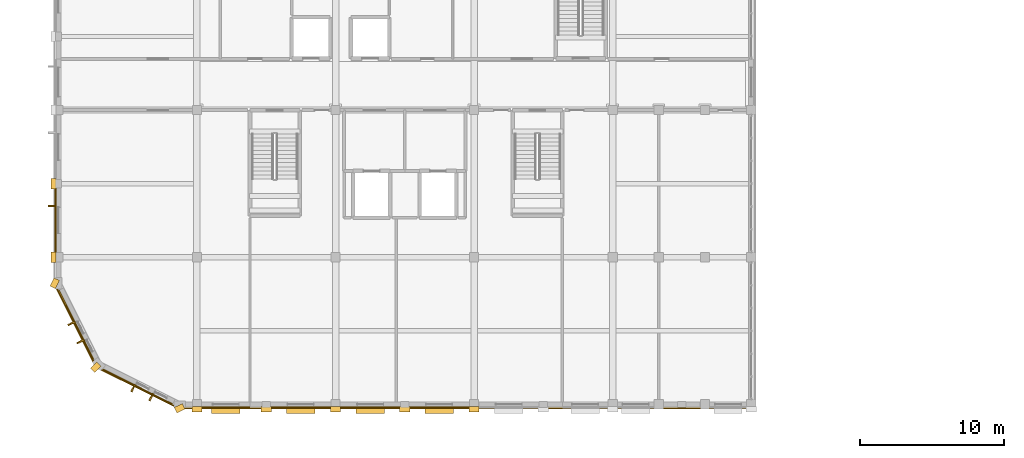
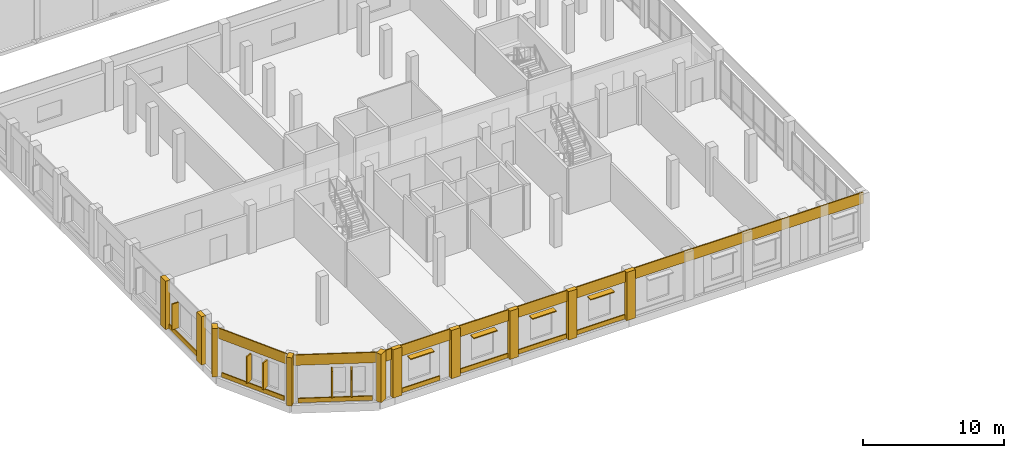
# One storey, part 188 of 200: 20 coverings, 9 shading devices.
"""IFC4 building model written with IfcOpenShell, lengths in metres."""

import ifcopenshell
import ifcopenshell.guid

model = None  # the IFC model being written
_history = None  # IfcOwnerHistory: only IFC2X3 demands one
_inside = {}  # id of a spatial element -> (the spatial element, [elements in it])
_under = {}  # id of a project, library or spatial element -> (it, [spatial elements below it])
_declared = {}  # id of a project -> (the project, [libraries it declares])
_typed = {}  # id of a type object -> (the type object, [elements of that type])
_made_of = {}  # id of a material, layer set ... -> (it, [elements and type objects made of it])


def new_model(schema):
    """Start an empty IFC model of exactly this schema.

    Asked for "IFC4X3", IfcOpenShell would pick the latest addendum, in which some entities
    have other attributes; the version numbers below select the first issue.
    IFC2X3 requires an IfcOwnerHistory on every rooted entity: one is made here for all.
    """
    global model, _history
    if schema == "IFC4X3":
        model = ifcopenshell.file(schema_version=(4, 3, 0, 0))
    else:
        model = ifcopenshell.file(schema=schema)
    _inside.clear()
    _under.clear()
    _declared.clear()
    _typed.clear()
    _made_of.clear()
    _history = None
    if model.schema == "IFC2X3":
        org = make("IfcOrganization", Name="unknown")
        user = make(
            "IfcPersonAndOrganization",
            ThePerson=make("IfcPerson", FamilyName="unknown"),
            TheOrganization=org,
        )
        app = make(
            "IfcApplication",
            ApplicationDeveloper=org,
            Version="unknown",
            ApplicationFullName="unknown",
            ApplicationIdentifier="unknown",
        )
        _history = make(
            "IfcOwnerHistory",
            OwningUser=user,
            OwningApplication=app,
            ChangeAction="ADDED",
            CreationDate=0,
        )
    return model


def make(cls, **values):
    """One entity of the class cls with the attributes given. An attribute that is None is left unset."""
    return model.create_entity(
        cls, **{name: value for name, value in values.items() if value is not None}
    )


def rooted(cls, **values):
    """An entity with a GlobalId (a new one), such as an element, a storey or a relation."""
    return make(cls, GlobalId=ifcopenshell.guid.new(), OwnerHistory=_history, **values)


def si_unit(unit_type, name, prefix=None):
    """IfcSIUnit, for example si_unit("LENGTHUNIT", "METRE", prefix="MILLI")."""
    return make("IfcSIUnit", UnitType=unit_type, Prefix=prefix, Name=name)


def assignment(units):
    """IfcUnitAssignment: the units of a project."""
    return None if units is None else make("IfcUnitAssignment", Units=units)


def point(xyz):
    """IfcCartesianPoint."""
    return None if xyz is None else make("IfcCartesianPoint", Coordinates=xyz)


def direction(xyz):
    """IfcDirection."""
    return None if xyz is None else make("IfcDirection", DirectionRatios=xyz)


def frame(location, z_axis=None, x_axis=None):
    """IfcAxis2Placement3D, a coordinate frame: its origin and axes. An axis left out is left unset."""
    return make(
        "IfcAxis2Placement3D",
        Location=point(location),
        Axis=direction(z_axis),
        RefDirection=direction(x_axis),
    )


def frame_2d(location, x_axis=None):
    """IfcAxis2Placement2D, a coordinate frame in the plane: its origin and x axis."""
    return make(
        "IfcAxis2Placement2D", Location=point(location), RefDirection=direction(x_axis)
    )


def origin():
    """The frame at (0, 0, 0) with its axes left unset."""
    return frame((0.0, 0.0, 0.0))


def origin_2d():
    """The frame at (0, 0) in the plane with its x axis left unset."""
    return frame_2d((0.0, 0.0))


def place(relative_to, where):
    """IfcLocalPlacement: puts the frame where relative to a parent placement (None: the world)."""
    return make(
        "IfcLocalPlacement", PlacementRelTo=relative_to, RelativePlacement=where
    )


def context(
    kind, dimensions, precision=None, world=None, true_north=None, identifier=None
):
    """IfcGeometricRepresentationContext, for example the 3D "Model" context."""
    return make(
        "IfcGeometricRepresentationContext",
        ContextIdentifier=identifier,
        ContextType=kind,
        CoordinateSpaceDimension=dimensions,
        Precision=precision,
        WorldCoordinateSystem=world,
        TrueNorth=true_north,
    )


def subcontext(parent, identifier, kind, view, scale=None):
    """IfcGeometricRepresentationSubContext, for example "Body" below "Model"."""
    return make(
        "IfcGeometricRepresentationSubContext",
        ContextIdentifier=identifier,
        ContextType=kind,
        ParentContext=parent,
        TargetScale=scale,
        TargetView=view,
    )


def project(units=None, contexts=None):
    """IfcProject with its units and contexts."""
    return rooted(
        "IfcProject",
        Name="project",
        RepresentationContexts=contexts,
        UnitsInContext=assignment(units),
    )


def spatial(cls, under=None, at=None, **own):
    """A site, building, storey or space (cls), placed at a placement, below another one or the project."""
    s = rooted(cls, ObjectPlacement=at, **own)
    if under is not None:
        _under.setdefault(under.id(), (under, []))[1].append(s)
    return s


def profile(cls, at=None, kind="AREA", **sizes):
    """A parametric profile (cls). Its sizes go by their IFC names, for example OverallWidth=200.0."""
    return make(cls, ProfileType=kind, Position=at, **sizes)


def rectangle(**sizes):
    """IfcRectangleProfileDef."""
    return profile("IfcRectangleProfileDef", **sizes)


def extrude(swept, where, along, depth):
    """IfcExtrudedAreaSolid: the profile swept, set in the frame where, extruded along a direction by depth."""
    return make(
        "IfcExtrudedAreaSolid",
        SweptArea=swept,
        Position=where,
        ExtrudedDirection=direction(along),
        Depth=depth,
    )


def shape(context_of_items, identifier, shape_type, items):
    """IfcShapeRepresentation: the items that make up one representation, for example the "Body"."""
    return make(
        "IfcShapeRepresentation",
        ContextOfItems=context_of_items,
        RepresentationIdentifier=identifier,
        RepresentationType=shape_type,
        Items=items,
    )


def material(Name=None, Category=None):
    """IfcMaterial."""
    return make("IfcMaterial", Name=Name, Category=Category)


def layer(
    of_material, thickness, ventilated=None, Name=None, Category=None, Priority=None
):
    """IfcMaterialLayer: one layer of a wall or slab, of a material (None: an air gap)."""
    return make(
        "IfcMaterialLayer",
        Material=of_material,
        LayerThickness=thickness,
        IsVentilated=ventilated,
        Name=Name,
        Category=Category,
        Priority=Priority,
    )


def layer_set(layers, Name=None):
    """IfcMaterialLayerSet."""
    return make("IfcMaterialLayerSet", MaterialLayers=layers, LayerSetName=Name)


def made_of(thing, what):
    """Note that an element or type object is made of a material, layer set ...; save() writes the relation."""
    if what is not None:
        _made_of.setdefault(what.id(), (what, []))[1].append(thing)
    return thing


def type_object(cls, material=None, **own):
    """A type object (cls), such as IfcWallType, which elements share."""
    return made_of(rooted(cls, **own), material)


def element(
    cls,
    number,
    at=None,
    inside=None,
    cuts=None,
    type_object=None,
    material=None,
    context=None,
    identifier="Body",
    shape_type=None,
    held_by="IfcProductDefinitionShape",
    body=None,
    shapes=None,
    **own,
):
    """One element of the class cls, such as IfcWall. Its Tag is "e" and its number.

    at: its placement. inside: the storey or other place that contains it. cuts: it is an
    opening in that element (IfcRelVoidsElement). A single representation is given by context,
    identifier, shape_type and body (its items); several are given by shapes. held_by: the class
    of the entity that holds the representations. save() writes the other relations.
    """
    e = rooted(cls, Tag="e%d" % number, ObjectPlacement=at, **own)
    if body is not None:
        shapes = [shape(context, identifier, shape_type, body)]
    if shapes is not None:
        e.Representation = make(held_by, Representations=shapes)
    if inside is not None:
        _inside.setdefault(inside.id(), (inside, []))[1].append(e)
    if cuts is not None:
        rooted(
            "IfcRelVoidsElement", RelatingBuildingElement=cuts, RelatedOpeningElement=e
        )
    if type_object is not None:
        _typed.setdefault(type_object.id(), (type_object, []))[1].append(e)
    return made_of(e, material)


def aggregate(whole, parts):
    """IfcRelAggregates: a whole, such as a stair, and the parts it consists of."""
    return rooted("IfcRelAggregates", RelatingObject=whole, RelatedObjects=parts)


def save(model, path):
    """Write the relations noted so far, then the file.

    IfcRelAggregates (storeys below a building ...), IfcRelContainedInSpatialStructure (elements
    in a storey), IfcRelDefinesByType, IfcRelAssociatesMaterial and IfcRelDeclares: one each for
    every whole, place, type object, material and project.
    """
    for whole, parts in _under.values():
        aggregate(whole, parts)
    for where, things in _inside.values():
        rooted(
            "IfcRelContainedInSpatialStructure",
            RelatedElements=things,
            RelatingStructure=where,
        )
    for kind, things in _typed.values():
        rooted("IfcRelDefinesByType", RelatedObjects=things, RelatingType=kind)
    for what, things in _made_of.values():
        rooted("IfcRelAssociatesMaterial", RelatedObjects=things, RelatingMaterial=what)
    for by, libraries in _declared.values():
        rooted("IfcRelDeclares", RelatingContext=by, RelatedDefinitions=libraries)
    model.write(path)


model = new_model("IFC4")

# Units and contexts
model_context = context("Model", 3, precision=1e-05, world=origin(), true_north=direction((0.0, 1.0)))
body_context = subcontext(model_context, "Body", "Model", "MODEL_VIEW")
ifc_project = project(units=[si_unit("LENGTHUNIT", "METRE"), si_unit("AREAUNIT", "SQUARE_METRE"), si_unit("VOLUMEUNIT", "CUBIC_METRE"), si_unit("PLANEANGLEUNIT", "RADIAN"), si_unit("MASSUNIT", "GRAM", prefix="KILO")], contexts=[model_context])

# Site, building, storey
site_placement = place(None, origin())
site = spatial("IfcSite", under=ifc_project, at=site_placement, CompositionType="ELEMENT")
building_placement = place(site_placement, origin())
building = spatial("IfcBuilding", under=site, at=building_placement, Name="Vondelvale Polytechnic", CompositionType="ELEMENT")
storey_placement = place(building_placement, frame((0.0, 0.0, 13.800048828125)))
storey = spatial("IfcBuildingStorey", under=building, at=storey_placement, Name="L03", CompositionType="ELEMENT", Elevation=13.800048828125)

# Coverings
ifc_material_1 = material(Name="Amsterdam School iron-spot clinker clay brickwork", Category="masonry")
ifc_layer = layer(ifc_material_1, 0.090087890625)
ifc_layer_set = layer_set([ifc_layer], Name="COV-BRICK-RELIEF")
covering_type = type_object("IfcCoveringType", Name="COV-BRICK-RELIEF", PredefinedType="CLADDING", material=ifc_layer_set)
covering_1_placement = place(storey_placement, frame((28.199951171875, -0.264892578125, 3.239990234375), z_axis=(0.0, 0.0, 1.0), x_axis=(1.0, 0.0, 0.0)))
element("IfcCovering", 1, at=covering_1_placement, inside=storey, type_object=covering_type, Name="L03 exterior masonry spandrel band", PredefinedType="CLADDING", context=body_context, shape_type="SweptSolid", body=[
    extrude(rectangle(XDim=39.60009765625, YDim=0.090087890625, at=origin_2d()), origin(), (0.0, 0.0, 1.0), 0.9599609375),
])
for number, where, z_axis, x_axis, name in (
    (2, (5.4814453125, 1.1630859375, 3.300048828125), (0.0, 0.0, 1.0), (-0.89438856037, 0.447290848419, 0.0), "L03 exterior masonry spandrel band"),
    (3, (1.1630859375, 5.4814453125, 3.300048828125), (0.0, 0.0, 1.0), (-0.447290848419, 0.89438856037, 0.0), "L03 exterior masonry spandrel band"),
):
    element("IfcCovering", number, at=place(storey_placement, frame(where, z_axis=z_axis, x_axis=x_axis)), inside=storey, type_object=covering_type, Name=name, PredefinedType="CLADDING", context=body_context, shape_type="SweptSolid", body=[
        extrude(rectangle(XDim=6.260986328125, YDim=0.090087890625, at=origin_2d()), origin(), (0.0, 0.0, 1.0), 0.89990234375),
    ])
for number, where, z_axis, x_axis, name in (
    (4, (5.494140625, 1.217041015625, 0.0), (0.0, 0.0, 1.0), (-0.89438856037, 0.447290848419, 0.0), "L03 exterior corbelled masonry relief band"),
    (5, (1.217041015625, 5.494140625, 0.0), (0.0, 0.0, 1.0), (-0.447290848419, 0.89438856037, 0.0), "L03 exterior corbelled masonry relief band"),
):
    element("IfcCovering", number, at=place(storey_placement, frame(where, z_axis=z_axis, x_axis=x_axis)), inside=storey, type_object=covering_type, Name=name, PredefinedType="CLADDING", context=body_context, shape_type="SweptSolid", body=[
        extrude(rectangle(XDim=5.330078125, YDim=0.090087890625, at=origin_2d()), origin(), (0.0, 0.0, 1.0), 0.3798828125),
    ])
covering_2_placement = place(storey_placement, frame((11.6005859375, -0.2109375, 0.0), z_axis=(0.0, 0.0, 1.0), x_axis=(-1.0, 0.0, 0.0)))
element("IfcCovering", 6, at=covering_2_placement, inside=storey, type_object=covering_type, Name="L03 exterior corbelled masonry relief band", PredefinedType="CLADDING", context=body_context, shape_type="SweptSolid", body=[
    extrude(rectangle(XDim=3.2890625, YDim=0.090087890625, at=origin_2d()), origin(), (0.0, 0.0, 1.0), 0.3798828125),
])
for number, where, z_axis, x_axis, name in (
    (7, (16.78759765625, -0.2109375, 0.0), (0.0, 0.0, 1.0), (-1.0, 0.0, 0.0), "L03 exterior corbelled masonry relief band"),
    (8, (21.612548828125, -0.2109375, 0.0), (0.0, 0.0, 1.0), (-1.0, 0.0, 0.0), "L03 exterior corbelled masonry relief band"),
    (9, (26.387451171875, -0.2109375, 0.0), (0.0, 0.0, 1.0), (-1.0, 0.0, 0.0), "L03 exterior corbelled masonry relief band"),
):
    element("IfcCovering", number, at=place(storey_placement, frame(where, z_axis=z_axis, x_axis=x_axis)), inside=storey, type_object=covering_type, Name=name, PredefinedType="CLADDING", context=body_context, shape_type="SweptSolid", body=[
        extrude(rectangle(XDim=4.113037109375, YDim=0.090087890625, at=origin_2d()), origin(), (0.0, 0.0, 1.0), 0.3798828125),
    ])
covering_3_placement = place(storey_placement, frame((-0.2109375, 12.762451171875, 0.0), z_axis=(0.0, 0.0, 1.0), x_axis=(0.0, 1.0, 0.0)))
element("IfcCovering", 10, at=covering_3_placement, inside=storey, type_object=covering_type, Name="L03 exterior corbelled masonry relief band", PredefinedType="CLADDING", context=body_context, shape_type="SweptSolid", body=[
    extrude(rectangle(XDim=4.4130859375, YDim=0.090087890625, at=origin_2d()), origin(), (0.0, 0.0, 1.0), 0.3798828125),
])
for number, where, z_axis, x_axis, name in (
    (11, (9.60009765625, -0.340087890625, 0.0), (0.0, 0.0, 1.0), (1.0, 0.0, 0.0), "L03 Classical street pilaster"),
    (12, (14.39990234375, -0.340087890625, 0.0), (0.0, 0.0, 1.0), (1.0, 0.0, 0.0), "L03 Classical street pilaster"),
    (13, (19.199951171875, -0.340087890625, 0.0), (0.0, 0.0, 1.0), (1.0, 0.0, 0.0), "L03 Classical street pilaster"),
    (14, (24.0, -0.340087890625, 0.0), (0.0, 0.0, 1.0), (1.0, 0.0, 0.0), "L03 Classical street pilaster"),
    (15, (28.800048828125, -0.340087890625, 0.0), (0.0, 0.0, 1.0), (1.0, 0.0, 0.0), "L03 Classical street pilaster"),
):
    element("IfcCovering", number, at=place(storey_placement, frame(where, z_axis=z_axis, x_axis=x_axis)), inside=storey, type_object=covering_type, Name=name, PredefinedType="CLADDING", context=body_context, shape_type="SweptSolid", body=[
        extrude(rectangle(XDim=0.719970703125, YDim=0.360107421875, at=origin_2d()), origin(), (0.0, 0.0, 1.0), 4.199951171875),
    ])
for number, where, z_axis, x_axis, name in (
    (16, (-0.340087890625, 10.199951171875, 0.0), (0.0, 0.0, 1.0), (1.0, 0.0, 0.0), "L03 Classical street pilaster"),
    (17, (-0.340087890625, 15.300048828125, 0.0), (0.0, 0.0, 1.0), (1.0, 0.0, 0.0), "L03 Classical street pilaster"),
):
    element("IfcCovering", number, at=place(storey_placement, frame(where, z_axis=z_axis, x_axis=x_axis)), inside=storey, type_object=covering_type, Name=name, PredefinedType="CLADDING", context=body_context, shape_type="SweptSolid", body=[
        extrude(rectangle(XDim=0.360107421875, YDim=0.719970703125, at=origin_2d()), origin(), (0.0, 0.0, 1.0), 4.199951171875),
    ])
for number, where, z_axis, x_axis, name in (
    (18, (8.39990234375, -0.260009765625, 0.0), (0.0, 0.0, 1.0), (0.894934361602, 0.44619781311, 0.0), "L03 Amsterdam School turret buttress rib"),
    (19, (2.580078125, 2.580078125, 0.0), (0.0, 0.0, 1.0), (0.707106781187, 0.707106781187, 0.0), "L03 Amsterdam School turret buttress rib"),
    (20, (-0.260009765625, 8.39990234375, 0.0), (0.0, 0.0, 1.0), (0.44619781311, 0.894934361602, 0.0), "L03 Amsterdam School turret buttress rib"),
):
    element("IfcCovering", number, at=place(storey_placement, frame(where, z_axis=z_axis, x_axis=x_axis)), inside=storey, type_object=covering_type, Name=name, PredefinedType="CLADDING", context=body_context, shape_type="SweptSolid", body=[
        extrude(rectangle(XDim=0.6201171875, YDim=0.419921875, at=origin_2d()), origin(), (0.0, 0.0, 1.0), 4.199951171875),
    ])

# Shading devices
ifc_material_2 = material(Name="Anodised extruded aluminium 6063-T6", Category="aluminium")
shading_device_type_1 = type_object("IfcShadingDeviceType", Name="SHD-BRONZE-LOUVRE", PredefinedType="SHUTTER", material=ifc_material_2)
for number, where, z_axis, x_axis, name in (
    (21, (11.6005859375, -0.39501953125, 2.907470703125), (0.0, 0.0, 1.0), (-1.0, 0.0, 0.0), "L03 horizontal bronze sun-louvre overhang"),
    (22, (16.78759765625, -0.39501953125, 2.907470703125), (0.0, 0.0, 1.0), (-1.0, 0.0, 0.0), "L03 horizontal bronze sun-louvre overhang"),
    (23, (21.612548828125, -0.39501953125, 2.907470703125), (0.0, 0.0, 1.0), (-1.0, 0.0, 0.0), "L03 horizontal bronze sun-louvre overhang"),
    (24, (26.387451171875, -0.39501953125, 2.907470703125), (0.0, 0.0, 1.0), (-1.0, 0.0, 0.0), "L03 horizontal bronze sun-louvre overhang"),
):
    element("IfcShadingDevice", number, at=place(storey_placement, frame(where, z_axis=z_axis, x_axis=x_axis)), inside=storey, type_object=shading_device_type_1, Name=name, PredefinedType="SHUTTER", context=body_context, shape_type="SweptSolid", body=[
        extrude(rectangle(XDim=1.9599609375, YDim=0.47998046875, at=origin_2d()), origin(), (0.0, 0.0, 1.0), 0.0849609375),
    ])
ifc_material_3 = material(Name="Kiln-fired architectural terracotta", Category="masonry")
shading_device_type_2 = type_object("IfcShadingDeviceType", Name="SHD-TERRA-FIN-550", PredefinedType="JALOUSIE", material=ifc_material_3)
for number, where, z_axis, x_axis, name in (
    (25, (6.42919921875, 0.504638671875, 0.64013671875), (0.0, 0.0, 1.0), (-0.89438856037, 0.447290848419, 0.0), "L03 vertical terracotta solar fin"),
    (26, (5.177001953125, 1.130615234375, 0.64013671875), (0.0, 0.0, 1.0), (-0.89438856037, 0.447290848419, 0.0), "L03 vertical terracotta solar fin"),
    (27, (1.53759765625, 4.36328125, 0.64013671875), (0.0, 0.0, 1.0), (-0.447290848419, 0.89438856037, 0.0), "L03 vertical terracotta solar fin"),
    (28, (0.91162109375, 5.615478515625, 0.64013671875), (0.0, 0.0, 1.0), (-0.447290848419, 0.89438856037, 0.0), "L03 vertical terracotta solar fin"),
):
    element("IfcShadingDevice", number, at=place(storey_placement, frame(where, z_axis=z_axis, x_axis=x_axis)), inside=storey, type_object=shading_device_type_2, Name=name, PredefinedType="JALOUSIE", context=body_context, shape_type="SweptSolid", body=[
        extrude(rectangle(XDim=0.110107421875, YDim=0.550048828125, at=origin_2d()), origin(), (0.0, 0.0, 1.0), 2.320068359375),
    ])
shading_device_placement = place(storey_placement, frame((-0.429931640625, 13.75244140625, 0.7900390625), z_axis=(0.0, 0.0, 1.0), x_axis=(0.0, 1.0, 0.0)))
element("IfcShadingDevice", 29, at=shading_device_placement, inside=storey, type_object=shading_device_type_2, Name="L03 vertical terracotta solar fin", PredefinedType="JALOUSIE", context=body_context, shape_type="SweptSolid", body=[
    extrude(rectangle(XDim=0.110107421875, YDim=0.550048828125, at=origin_2d()), origin(), (0.0, 0.0, 1.0), 2.219970703125),
])

save(model, "model.ifc")
